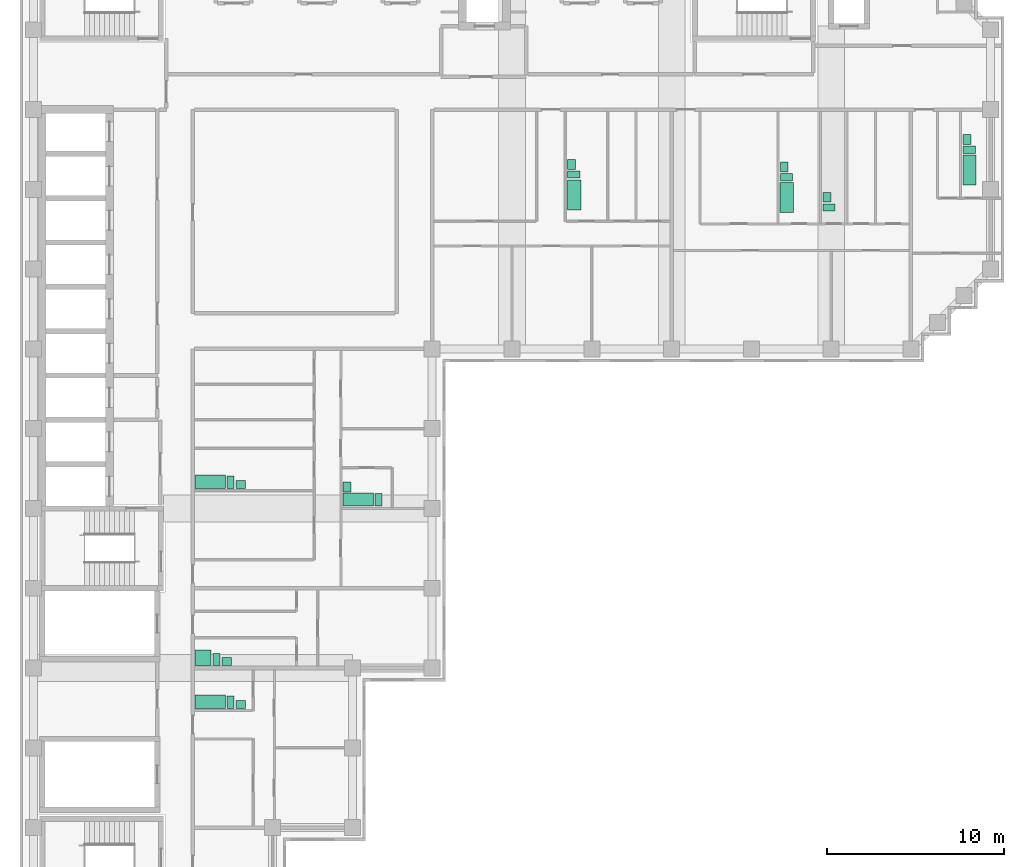
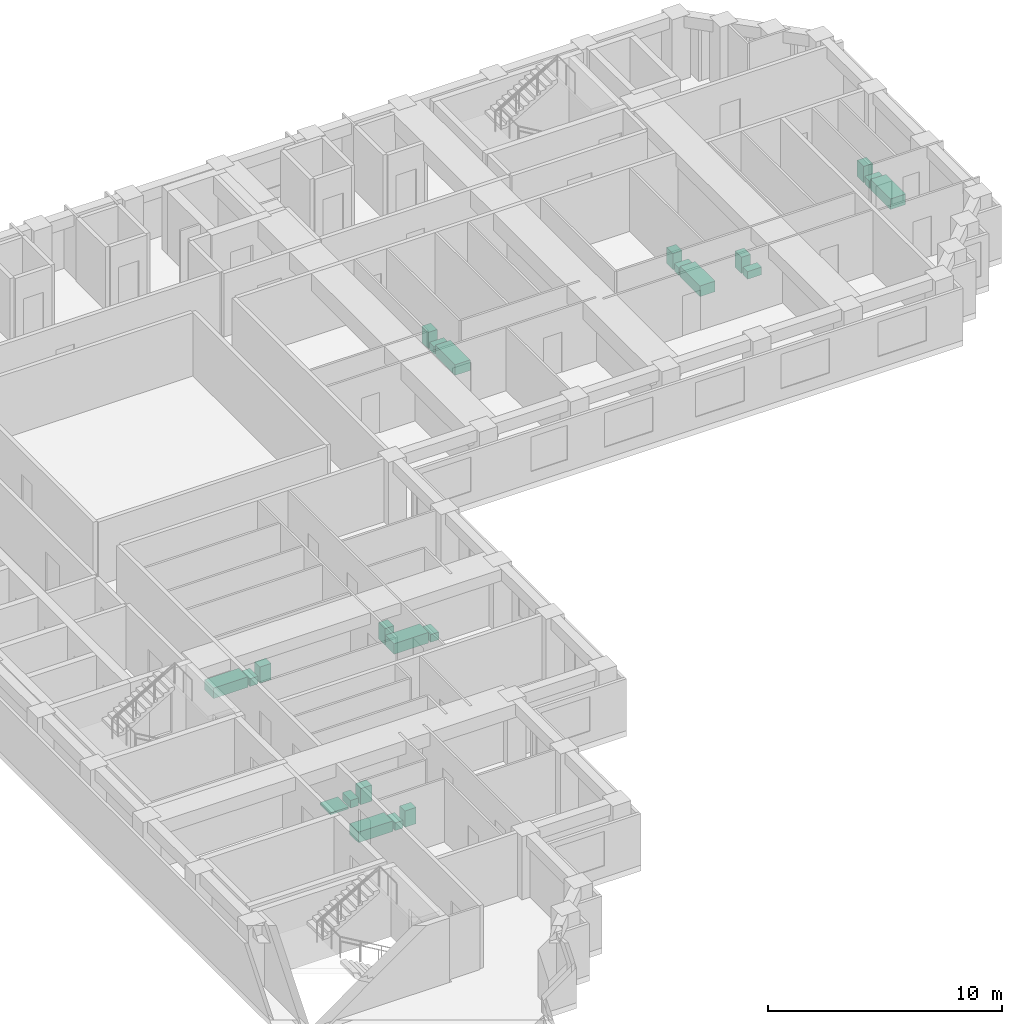
# One storey, part 10 of 10: 23 sanitary terminals.
"""IFC4 building model written with IfcOpenShell, lengths in metres."""

from ifc_helpers import new_model, si_unit, direction, frame, origin, origin_2d, place, context, subcontext, project, spatial, rectangle, extrude, material, type_object, element, save


model = new_model("IFC4")

# Units and contexts
model_context = context("Model", 3, precision=1e-05, world=origin(), true_north=direction((0.0, 1.0)))
body_context = subcontext(model_context, "Body", "Model", "MODEL_VIEW")
ifc_project = project(units=[si_unit("LENGTHUNIT", "METRE"), si_unit("AREAUNIT", "SQUARE_METRE"), si_unit("VOLUMEUNIT", "CUBIC_METRE"), si_unit("PLANEANGLEUNIT", "RADIAN"), si_unit("MASSUNIT", "GRAM", prefix="KILO")], contexts=[model_context])

# Site, building, storey
site_placement = place(None, origin())
site = spatial("IfcSite", under=ifc_project, at=site_placement, CompositionType="ELEMENT")
building_placement = place(site_placement, origin())
building = spatial("IfcBuilding", under=site, at=building_placement, Name="Firuza Court", CompositionType="ELEMENT")
storey_placement = place(building_placement, frame((0.0, 0.0, 193.39990234375)))
storey = spatial("IfcBuildingStorey", under=building, at=storey_placement, Name="L49", CompositionType="ELEMENT", Elevation=193.39990234375)

# Sanitary terminals
ifc_material_1 = material(Name="Vitreous china", Category="ceramic")
sanitary_terminal_type_1 = type_object("IfcSanitaryTerminalType", Name="Fixture Bath", PredefinedType="BATH", material=ifc_material_1)
for number, where, z_axis, x_axis, name in (
    (1, (30.5048828125, 44.679931640625, 0.0), (0.0, 0.0, 1.0), (1.0, 0.0, 0.0), "Bath"),
    (2, (42.5048828125, 44.530029296875, 0.0), (0.0, 0.0, 1.0), (1.0, 0.0, 0.0), "Bath"),
    (3, (52.804931640625, 46.080078125, 0.0), (0.0, 0.0, 1.0), (1.0, 0.0, 0.0), "Bath"),
):
    element("IfcSanitaryTerminal", number, at=place(storey_placement, frame(where, z_axis=z_axis, x_axis=x_axis)), inside=storey, type_object=sanitary_terminal_type_1, Name=name, PredefinedType="BATH", context=body_context, shape_type="SweptSolid", body=[
        extrude(rectangle(XDim=0.75, YDim=1.699951171875, at=origin_2d()), origin(), (0.0, 0.0, 1.0), 0.550048828125),
    ])
for number, where, z_axis, x_axis, name in (
    (4, (9.97998046875, 28.5048828125, 0.0), (0.0, 0.0, 1.0), (1.0, 0.0, 0.0), "Bath"),
    (5, (18.330078125, 27.5048828125, 0.0), (0.0, 0.0, 1.0), (1.0, 0.0, 0.0), "Bath"),
    (6, (9.97998046875, 16.10498046875, 0.0), (0.0, 0.0, 1.0), (1.0, 0.0, 0.0), "Bath"),
):
    element("IfcSanitaryTerminal", number, at=place(storey_placement, frame(where, z_axis=z_axis, x_axis=x_axis)), inside=storey, type_object=sanitary_terminal_type_1, Name=name, PredefinedType="BATH", context=body_context, shape_type="SweptSolid", body=[
        extrude(rectangle(XDim=1.699951171875, YDim=0.75, at=origin_2d()), origin(), (0.0, 0.0, 1.0), 0.550048828125),
    ])
ifc_material_2 = material(Name="Vitreous china", Category="ceramic")
sanitary_terminal_type_2 = type_object("IfcSanitaryTerminalType", Name="Fixture Shower tray", PredefinedType="SHOWER", material=ifc_material_2)
sanitary_terminal_1_placement = place(storey_placement, frame((9.580078125, 18.580078125, 0.0), z_axis=(0.0, 0.0, 1.0), x_axis=(1.0, 0.0, 0.0)))
element("IfcSanitaryTerminal", 7, at=sanitary_terminal_1_placement, inside=storey, type_object=sanitary_terminal_type_2, Name="Shower tray", PredefinedType="SHOWER", context=body_context, shape_type="SweptSolid", body=[
    extrude(rectangle(XDim=0.89990234375, YDim=0.89990234375, at=origin_2d()), origin(), (0.0, 0.0, 1.0), 0.10009765625),
])
ifc_material_3 = material(Name="Vitreous china", Category="ceramic")
sanitary_terminal_type_3 = type_object("IfcSanitaryTerminalType", Name="Fixture WC pan", PredefinedType="TOILETPAN", material=ifc_material_3)
for number, where, z_axis, x_axis, name in (
    (8, (30.47998046875, 45.830078125, 0.000244140625), (0.0, 0.0, 1.0), (1.0, 0.0, 0.0), "WC pan"),
    (9, (42.47998046875, 45.679931640625, 0.000244140625), (0.0, 0.0, 1.0), (1.0, 0.0, 0.0), "WC pan"),
    (10, (44.8798828125, 43.97998046875, 0.000244140625), (0.0, 0.0, 1.0), (1.0, 0.0, 0.0), "WC pan"),
    (11, (52.780029296875, 47.22998046875, 0.000244140625), (0.0, 0.0, 1.0), (1.0, 0.0, 0.0), "WC pan"),
):
    element("IfcSanitaryTerminal", number, at=place(storey_placement, frame(where, z_axis=z_axis, x_axis=x_axis)), inside=storey, type_object=sanitary_terminal_type_3, Name=name, PredefinedType="TOILETPAN", context=body_context, shape_type="SweptSolid", body=[
        extrude(rectangle(XDim=0.699951171875, YDim=0.39990234375, at=origin_2d()), origin(), (0.0, 0.0, 1.0), 0.39990234375),
    ])
for number, where, z_axis, x_axis, name in (
    (12, (11.1298828125, 28.47998046875, 0.000244140625), (0.0, 0.0, 1.0), (1.0, 0.0, 0.0), "WC pan"),
    (13, (19.47998046875, 27.47998046875, 0.000244140625), (0.0, 0.0, 1.0), (1.0, 0.0, 0.0), "WC pan"),
    (14, (10.330078125, 18.47998046875, 0.000244140625), (0.0, 0.0, 1.0), (1.0, 0.0, 0.0), "WC pan"),
    (15, (11.1298828125, 16.080078125, 0.000244140625), (0.0, 0.0, 1.0), (1.0, 0.0, 0.0), "WC pan"),
):
    element("IfcSanitaryTerminal", number, at=place(storey_placement, frame(where, z_axis=z_axis, x_axis=x_axis)), inside=storey, type_object=sanitary_terminal_type_3, Name=name, PredefinedType="TOILETPAN", context=body_context, shape_type="SweptSolid", body=[
        extrude(rectangle(XDim=0.39990234375, YDim=0.699951171875, at=origin_2d()), origin(), (0.0, 0.0, 1.0), 0.39990234375),
    ])
ifc_material_4 = material(Name="Vitreous china", Category="ceramic")
sanitary_terminal_type_4 = type_object("IfcSanitaryTerminalType", Name="Fixture Washbasin", PredefinedType="WASHHANDBASIN", material=ifc_material_4)
for number, where, z_axis, x_axis, name in (
    (16, (30.35498046875, 46.405029296875, 0.0), (0.0, 0.0, 1.0), (1.0, 0.0, 0.0), "Washbasin"),
    (17, (42.35498046875, 46.2548828125, 0.0), (0.0, 0.0, 1.0), (1.0, 0.0, 0.0), "Washbasin"),
    (18, (44.7548828125, 44.554931640625, 0.0), (0.0, 0.0, 1.0), (1.0, 0.0, 0.0), "Washbasin"),
    (19, (52.655029296875, 47.804931640625, 0.0), (0.0, 0.0, 1.0), (1.0, 0.0, 0.0), "Washbasin"),
):
    element("IfcSanitaryTerminal", number, at=place(storey_placement, frame(where, z_axis=z_axis, x_axis=x_axis)), inside=storey, type_object=sanitary_terminal_type_4, Name=name, PredefinedType="WASHHANDBASIN", context=body_context, shape_type="SweptSolid", body=[
        extrude(rectangle(XDim=0.449951171875, YDim=0.550048828125, at=origin_2d()), origin(), (0.0, 0.0, 1.0), 0.85009765625),
    ])
sanitary_terminal_2_placement = place(storey_placement, frame((11.705078125, 28.35498046875, 0.0), z_axis=(0.0, 0.0, 1.0), x_axis=(1.0, 0.0, 0.0)))
element("IfcSanitaryTerminal", 20, at=sanitary_terminal_2_placement, inside=storey, type_object=sanitary_terminal_type_4, Name="Washbasin", PredefinedType="WASHHANDBASIN", context=body_context, shape_type="SweptSolid", body=[
    extrude(rectangle(XDim=0.550048828125, YDim=0.449951171875, at=origin_2d()), origin(), (0.0, 0.0, 1.0), 0.85009765625),
])
sanitary_terminal_3_placement = place(storey_placement, frame((17.705078125, 28.205078125, 0.0), z_axis=(0.0, 0.0, 1.0), x_axis=(1.0, 0.0, 0.0)))
element("IfcSanitaryTerminal", 21, at=sanitary_terminal_3_placement, inside=storey, type_object=sanitary_terminal_type_4, Name="Washbasin", PredefinedType="WASHHANDBASIN", context=body_context, shape_type="SweptSolid", body=[
    extrude(rectangle(XDim=0.449951171875, YDim=0.550048828125, at=origin_2d()), origin(), (0.0, 0.0, 1.0), 0.85009765625),
])
for number, where, z_axis, x_axis, name in (
    (22, (10.905029296875, 18.35498046875, 0.0), (0.0, 0.0, 1.0), (1.0, 0.0, 0.0), "Washbasin"),
    (23, (11.705078125, 15.955078125, 0.0), (0.0, 0.0, 1.0), (1.0, 0.0, 0.0), "Washbasin"),
):
    element("IfcSanitaryTerminal", number, at=place(storey_placement, frame(where, z_axis=z_axis, x_axis=x_axis)), inside=storey, type_object=sanitary_terminal_type_4, Name=name, PredefinedType="WASHHANDBASIN", context=body_context, shape_type="SweptSolid", body=[
        extrude(rectangle(XDim=0.550048828125, YDim=0.449951171875, at=origin_2d()), origin(), (0.0, 0.0, 1.0), 0.85009765625),
    ])

save(model, "model.ifc")
